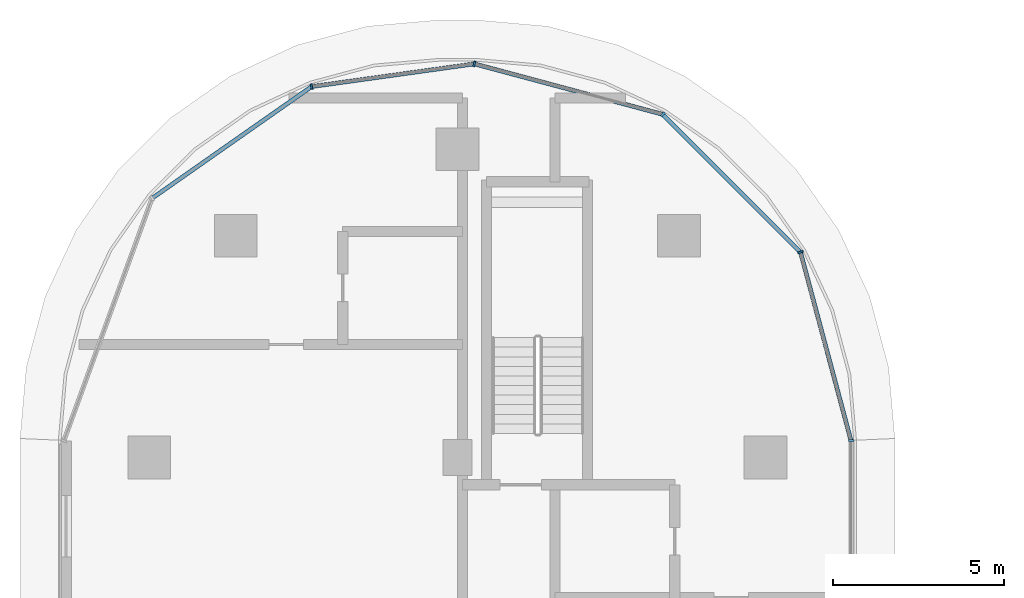
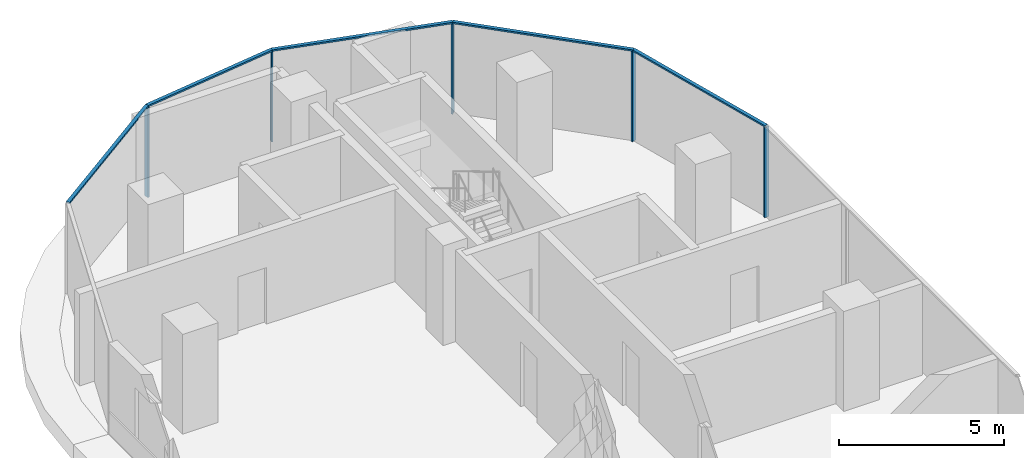
# One storey, part 7 of 25: 10 members, 2 elements without a shape of their own.
"""IFC4 building model written with IfcOpenShell, lengths in metres."""

from ifc_helpers import new_model, si_unit, direction, frame, origin, origin_2d, place, context, subcontext, project, spatial, rectangle, extrude, material, material_profile, profile_set, type_object, element, aggregate, save


model = new_model("IFC4")

# Units and contexts
model_context = context("Model", 3, precision=1e-05, world=origin(), true_north=direction((0.0, 1.0)))
body_context = subcontext(model_context, "Body", "Model", "MODEL_VIEW")
ifc_project = project(units=[si_unit("LENGTHUNIT", "METRE"), si_unit("AREAUNIT", "SQUARE_METRE"), si_unit("VOLUMEUNIT", "CUBIC_METRE"), si_unit("PLANEANGLEUNIT", "RADIAN"), si_unit("MASSUNIT", "GRAM", prefix="KILO")], contexts=[model_context])

# Site, building, storey
site_placement = place(None, origin())
site = spatial("IfcSite", under=ifc_project, at=site_placement, CompositionType="ELEMENT")
building_placement = place(site_placement, origin())
building = spatial("IfcBuilding", under=site, at=building_placement, Name="Ogive Portal Towers", CompositionType="ELEMENT")
storey_placement = place(building_placement, frame((0.0, 0.0, 116.699951171875)))
storey = spatial("IfcBuildingStorey", under=building, at=storey_placement, Name="L28", CompositionType="ELEMENT", Elevation=116.699951171875)

# Curtain wall, member
ifc_material_1 = material(Name="Glass, clear low-iron insulated glazing", Category="glass")
curtain_wall_type = type_object("IfcCurtainWallType", Name="CW FRONT RIBBON 4500", PredefinedType="NOTDEFINED", material=ifc_material_1)
curtain_wall_1_placement = place(storey_placement, origin())
curtain_wall_1 = element("IfcCurtainWall", 1, at=curtain_wall_1_placement, inside=storey, type_object=curtain_wall_type, Name="A:L28:f20:cw0", PredefinedType="NOTDEFINED")
ifc_material_2 = material(Name="Aluminium 6063 anodised", Category="aluminium")
ifc_material_profile_1 = material_profile(ifc_material_2, rectangle(XDim=0.159912109375, YDim=0.06005859375, at=origin_2d()), Name="AL 60x160")
ifc_profile_set_1 = profile_set([ifc_material_profile_1], Name="Aluminium 6063 anodised")
member_type_1 = type_object("IfcMemberType", Name="CW MULLION 60x160", PredefinedType="MULLION", material=ifc_profile_set_1)
member_1_placement = place(storey_placement, frame((51.9951171875, 66.989501953125, 0.0), z_axis=(0.0, 0.0, 1.0), x_axis=(-1.0, 0.0, 0.0)))
member_1 = element("IfcMember", 2, at=member_1_placement, type_object=member_type_1, Name="mullion", PredefinedType="MULLION", context=body_context, shape_type="SweptSolid", body=[
    extrude(rectangle(XDim=0.159912109375, YDim=0.06005859375, at=origin_2d()), origin(), (0.0, 0.0, 1.0), 3.340087890625),
])
aggregate(curtain_wall_1, [member_1])

# Curtain wall, members
curtain_wall_2_placement = place(storey_placement, origin())
curtain_wall_2 = element("IfcCurtainWall", 3, at=curtain_wall_2_placement, inside=storey, type_object=curtain_wall_type, Name="A:L28:f21:cwa", PredefinedType="NOTDEFINED")
member_2_placement = place(storey_placement, frame((50.51953125, 72.49609375, 0.0), z_axis=(0.0, 0.0, 1.0), x_axis=(-0.965925826289, -0.258819045103, 0.0)))
member_2 = element("IfcMember", 4, at=member_2_placement, type_object=member_type_1, Name="mullion", PredefinedType="MULLION", context=body_context, shape_type="SweptSolid", body=[
    extrude(rectangle(XDim=0.159912109375, YDim=0.06005859375, at=origin_2d()), origin(), (0.0, 0.0, 1.0), 3.340087890625),
])
member_3_placement = place(storey_placement, frame((46.49609375, 76.51953125, 0.0), z_axis=(0.0, 0.0, 1.0), x_axis=(-0.707106781187, -0.707106781187, 0.0)))
member_3 = element("IfcMember", 5, at=member_3_placement, type_object=member_type_1, Name="mullion", PredefinedType="MULLION", context=body_context, shape_type="SweptSolid", body=[
    extrude(rectangle(XDim=0.159912109375, YDim=0.06005859375, at=origin_2d()), origin(), (0.0, 0.0, 1.0), 3.340087890625),
])
member_4_placement = place(storey_placement, frame((40.994873046875, 77.993408203125, 0.0), z_axis=(0.0, 0.0, 1.0), x_axis=(-0.258819045103, -0.965925826289, 0.0)))
member_4 = element("IfcMember", 6, at=member_4_placement, type_object=member_type_1, Name="mullion", PredefinedType="MULLION", context=body_context, shape_type="SweptSolid", body=[
    extrude(rectangle(XDim=0.159912109375, YDim=0.06005859375, at=origin_2d()), origin(), (0.0, 0.0, 1.0), 3.340087890625),
])
member_5_placement = place(storey_placement, frame((36.2421875, 77.33056640625, 0.0), z_axis=(0.0, 0.0, 1.0), x_axis=(0.138161316467, -0.990409738761, 0.0)))
member_5 = element("IfcMember", 7, at=member_5_placement, type_object=member_type_1, Name="mullion", PredefinedType="MULLION", context=body_context, shape_type="SweptSolid", body=[
    extrude(rectangle(XDim=0.159912109375, YDim=0.06005859375, at=origin_2d()), origin(), (0.0, 0.0, 1.0), 3.340087890625),
])
ifc_material_profile_2 = material_profile(ifc_material_2, rectangle(XDim=0.1201171875, YDim=0.06005859375, at=origin_2d()), Name="AL 120x60")
ifc_profile_set_2 = profile_set([ifc_material_profile_2], Name="Aluminium 6063 anodised")
member_type_2 = type_object("IfcMemberType", Name="CW TRANSOM 60x120", PredefinedType="USERDEFINED", material=ifc_profile_set_2)
member_6_placement = place(storey_placement, frame((51.9951171875, 66.989501953125, 3.3701171875), z_axis=(-0.258835265962, 0.965921479777, 0.0), x_axis=(-0.965921479777, -0.258835265962, 0.0)))
member_6 = element("IfcMember", 8, at=member_6_placement, type_object=member_type_2, Name="transom", ObjectType="TRANSOM", PredefinedType="USERDEFINED", context=body_context, shape_type="SweptSolid", body=[
    extrude(rectangle(XDim=0.1201171875, YDim=0.06005859375, at=origin_2d()), origin(), (0.0, 0.0, 1.0), 5.700927734375),
])
member_7_placement = place(storey_placement, frame((50.51953125, 72.49609375, 3.3701171875), z_axis=(-0.707106781187, 0.707106781187, 0.0), x_axis=(-0.707106781187, -0.707106781187, 0.0)))
member_7 = element("IfcMember", 9, at=member_7_placement, type_object=member_type_2, Name="transom", ObjectType="TRANSOM", PredefinedType="USERDEFINED", context=body_context, shape_type="SweptSolid", body=[
    extrude(rectangle(XDim=0.1201171875, YDim=0.06005859375, at=origin_2d()), origin(), (0.0, 0.0, 1.0), 5.68994140625),
])
member_8_placement = place(storey_placement, frame((46.49609375, 76.51953125, 3.3701171875), z_axis=(-0.96593331862, 0.258791081725, 0.0), x_axis=(-0.258791081725, -0.96593331862, 0.0)))
member_8 = element("IfcMember", 10, at=member_8_placement, type_object=member_type_2, Name="transom", ObjectType="TRANSOM", PredefinedType="USERDEFINED", context=body_context, shape_type="SweptSolid", body=[
    extrude(rectangle(XDim=0.1201171875, YDim=0.06005859375, at=origin_2d()), origin(), (0.0, 0.0, 1.0), 5.6953125),
])
member_9_placement = place(storey_placement, frame((40.994873046875, 77.993408203125, 3.3701171875), z_axis=(-0.990414123812, -0.138129878571, 0.0), x_axis=(0.138129878571, -0.990414123812, 0.0)))
member_9 = element("IfcMember", 11, at=member_9_placement, type_object=member_type_2, Name="transom", ObjectType="TRANSOM", PredefinedType="USERDEFINED", context=body_context, shape_type="SweptSolid", body=[
    extrude(rectangle(XDim=0.1201171875, YDim=0.06005859375, at=origin_2d()), origin(), (0.0, 0.0, 1.0), 4.798583984375),
])
member_10_placement = place(storey_placement, frame((36.2421875, 77.33056640625, 3.3701171875), z_axis=(-0.819155292405, -0.573571797532, 0.0), x_axis=(0.573571797532, -0.819155292405, 0.0)))
member_10 = element("IfcMember", 12, at=member_10_placement, type_object=member_type_2, Name="transom", ObjectType="TRANSOM", PredefinedType="USERDEFINED", context=body_context, shape_type="SweptSolid", body=[
    extrude(rectangle(XDim=0.1201171875, YDim=0.06005859375, at=origin_2d()), origin(), (0.0, 0.0, 1.0), 5.6884765625),
])
aggregate(curtain_wall_2, [member_6, member_7, member_8, member_9, member_10, member_2, member_3, member_4, member_5])

save(model, "model.ifc")
